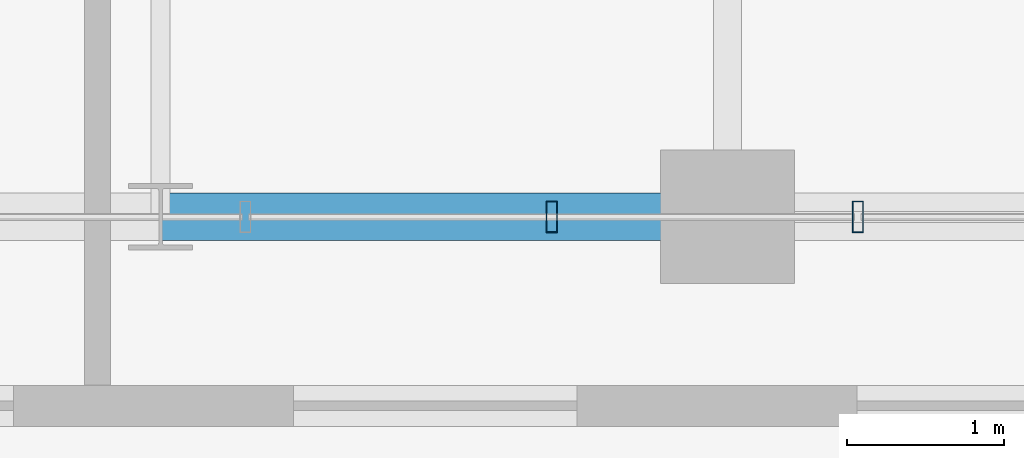
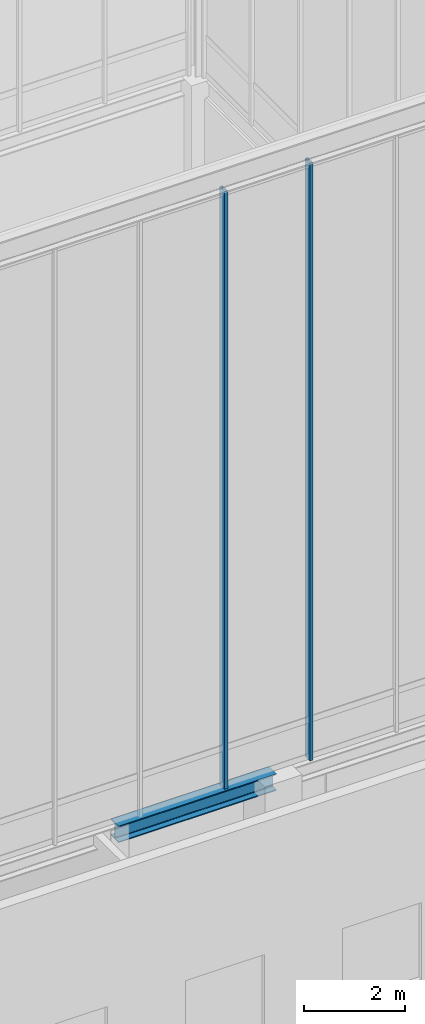
# One storey, part 28 of 49: 2 members, 1 beam, 1 element without a shape of its own.
"""IFC4 building model written with IfcOpenShell, lengths in metres."""

from ifc_helpers import new_model, si_unit, direction, frame, origin, origin_2d, place, context, subcontext, project, spatial, hollow_rectangle, i_section, extrude, source, transform, mapped, material, layer, layer_set, material_profile, profile_set, type_object, element, aggregate, save


model = new_model("IFC4")

# Units and contexts
model_context = context("Model", 3, precision=1e-05, world=origin(), true_north=direction((0.0, 1.0)))
body_context = subcontext(model_context, "Body", "Model", "MODEL_VIEW")
ifc_project = project(units=[si_unit("LENGTHUNIT", "METRE"), si_unit("AREAUNIT", "SQUARE_METRE"), si_unit("VOLUMEUNIT", "CUBIC_METRE"), si_unit("PLANEANGLEUNIT", "RADIAN"), si_unit("MASSUNIT", "GRAM", prefix="KILO")], contexts=[model_context])

# Site, building, storey
site_placement = place(None, origin())
site = spatial("IfcSite", under=ifc_project, at=site_placement, CompositionType="ELEMENT")
building_placement = place(site_placement, origin())
building = spatial("IfcBuilding", under=site, at=building_placement, Name="Kaliganga Portal Commons", CompositionType="ELEMENT")
storey_placement = place(building_placement, frame((0.0, 0.0, 298.0)))
storey = spatial("IfcBuildingStorey", under=building, at=storey_placement, Name="L77", CompositionType="ELEMENT", Elevation=298.0)

# Beam
ifc_material_1 = material(Name="Structural steel S355J2", Category="steel")
ifc_material_profile_1 = material_profile(ifc_material_1, i_section(OverallWidth=0.300048828125, OverallDepth=0.39990234375, WebThickness=0.013427734375, FlangeThickness=0.02392578125, FilletRadius=0.027099609375, at=origin_2d()), Name="HE 400 B")
ifc_profile_set_1 = profile_set([ifc_material_profile_1], Name="Structural steel S355J2 wide-flange")
beam_type = type_object("IfcBeamType", Name="BM-SPAND-400", PredefinedType="SPANDREL", material=ifc_profile_set_1)
shared_shape_1 = source(origin(), body_context, "Body", "SweptSolid", [
    extrude(i_section(OverallWidth=0.300048828125, OverallDepth=0.39990234375, WebThickness=0.013427734375, FlangeThickness=0.02392578125, FilletRadius=0.027099609375, at=origin_2d()), origin(), (0.0, 0.0, 1.0), 3.60009765625),
])
beam_placement = place(storey_placement, frame((32.39990234375, 21.60009765625, 5.800048828125), z_axis=(1.0, 0.0, 0.0), x_axis=(0.0, 1.0, 0.0)))
element("IfcBeam", 1, at=beam_placement, inside=storey, type_object=beam_type, Name="BM SP L77 AS 6", PredefinedType="SPANDREL", context=body_context, shape_type="MappedRepresentation", body=[
    mapped(shared_shape_1, transform((0.0, 0.0, 0.0), x_axis=(1.0, 0.0, 0.0), y_axis=(0.0, 1.0, 0.0), z_axis=(0.0, 0.0, 1.0), scale=1.0)),
])

# Curtain wall, members
ifc_material_2 = material(Name="Anodized Aluminium and Laminated Low-E Glass", Category="aluminium")
ifc_layer = layer(ifc_material_2, 0.25)
ifc_layer_set = layer_set([ifc_layer], Name="Anodized Aluminium and Laminated Low-E Glass")
curtain_wall_type = type_object("IfcCurtainWallType", Name="CW-SYS-06", PredefinedType="NOTDEFINED", material=ifc_layer_set)
curtain_wall_placement = place(storey_placement, origin())
curtain_wall = element("IfcCurtainWall", 2, at=curtain_wall_placement, inside=storey, type_object=curtain_wall_type, Name="CW 06 L77 SE", PredefinedType="NOTDEFINED")
ifc_material_3 = material(Name="Dark Bronze Anodized Aluminium", Category="aluminium")
ifc_material_profile_2 = material_profile(ifc_material_3, hollow_rectangle(XDim=0.070068359375, YDim=0.199951171875, WallThickness=0.00390625, at=origin_2d()), Name="ALU MULL 70x200x4")
ifc_profile_set_2 = profile_set([ifc_material_profile_2], Name="Dark Bronze Anodized Aluminium")
member_type = type_object("IfcMemberType", Name="CW-MUL-220", PredefinedType="MULLION", material=ifc_profile_set_2)
shared_shape_2 = source(origin(), body_context, "Body", "SweptSolid", [
    extrude(hollow_rectangle(XDim=0.070068359375, YDim=0.199951171875, WallThickness=0.00390625, at=origin_2d()), origin(), (0.0, 0.0, 1.0), 14.39990234375),
])
member_1_placement = place(storey_placement, frame((34.88330078125, 21.60009765625, 6.0), z_axis=(0.0, 0.0, 1.0), x_axis=(1.0, 0.0, 0.0)))
member_1 = element("IfcMember", 3, at=member_1_placement, type_object=member_type, Name="CW:06:L77:SE Mullion 03", PredefinedType="MULLION", context=body_context, shape_type="MappedRepresentation", body=[
    mapped(shared_shape_2, transform((0.0, 0.0, 0.0), x_axis=(1.0, 0.0, 0.0), y_axis=(0.0, 1.0, 0.0), z_axis=(0.0, 0.0, 1.0), scale=1.0)),
])
member_2_placement = place(storey_placement, frame((36.827880859375, 21.60009765625, 6.0), z_axis=(0.0, 0.0, 1.0), x_axis=(1.0, 0.0, 0.0)))
member_2 = element("IfcMember", 4, at=member_2_placement, type_object=member_type, Name="CW:06:L77:SE Mullion 04", PredefinedType="MULLION", context=body_context, shape_type="MappedRepresentation", body=[
    mapped(shared_shape_2, transform((0.0, 0.0, 0.0), x_axis=(1.0, 0.0, 0.0), y_axis=(0.0, 1.0, 0.0), z_axis=(0.0, 0.0, 1.0), scale=1.0)),
])
aggregate(curtain_wall, [member_1, member_2])

save(model, "model.ifc")
